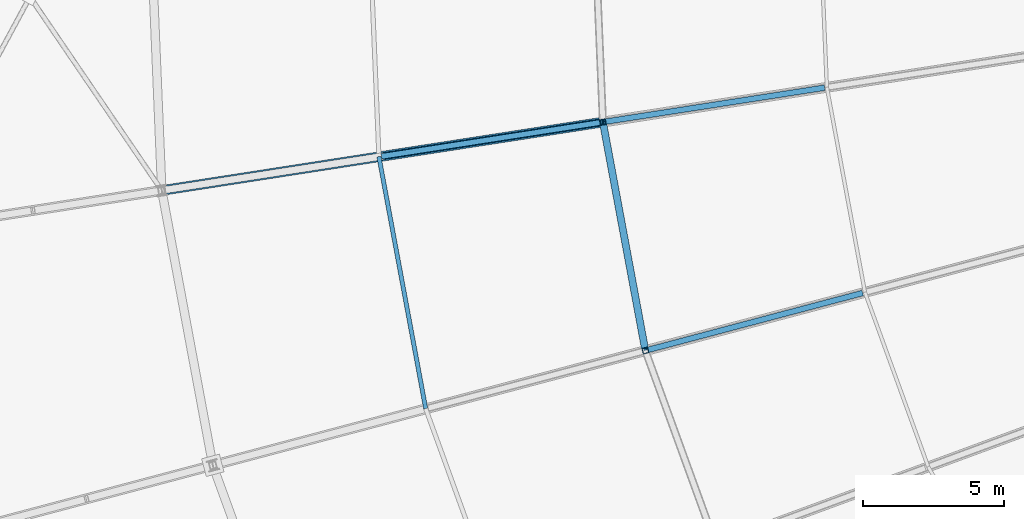
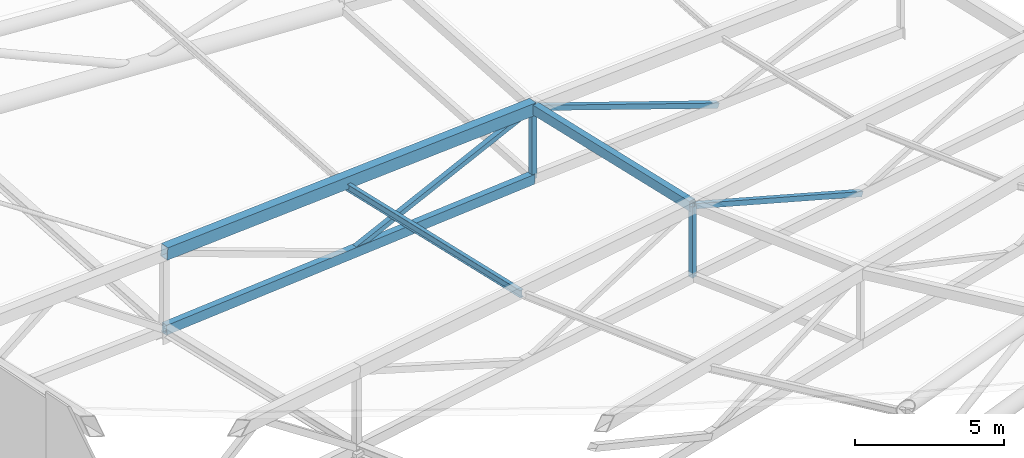
# One storey, part 25 of 143: 6 members, 3 beams.
"""IFC4 building model written with IfcOpenShell, lengths in metres."""

from ifc_helpers import new_model, si_unit, direction, frame, origin, origin_2d, place, context, subcontext, project, spatial, hollow_rectangle, i_section, extrude, material, material_profile, profile_set, type_object, element, save


model = new_model("IFC4")

# Units and contexts
model_context = context("Model", 3, precision=1e-05, world=origin(), true_north=direction((0.0, 1.0)))
body_context = subcontext(model_context, "Body", "Model", "MODEL_VIEW")
ifc_project = project(units=[si_unit("LENGTHUNIT", "METRE"), si_unit("AREAUNIT", "SQUARE_METRE"), si_unit("VOLUMEUNIT", "CUBIC_METRE"), si_unit("PLANEANGLEUNIT", "RADIAN"), si_unit("MASSUNIT", "GRAM", prefix="KILO")], contexts=[model_context])

# Site, building, storey
site_placement = place(None, origin())
site = spatial("IfcSite", under=ifc_project, at=site_placement, CompositionType="ELEMENT")
building_placement = place(site_placement, origin())
building = spatial("IfcBuilding", under=site, at=building_placement, Name="Mphavela Belvedere Stadium", CompositionType="ELEMENT")
storey_placement = place(building_placement, frame((0.0, 0.0, 28.800048828125)))
storey = spatial("IfcBuildingStorey", under=building, at=storey_placement, Name="RF", CompositionType="ELEMENT", Elevation=28.800048828125)

# Beams
ifc_material_1 = material(Name="Steel S355", Category="steel")
ifc_material_profile_1 = material_profile(ifc_material_1, hollow_rectangle(XDim=0.25, YDim=0.39990234375, WallThickness=0.01611328125, at=origin_2d()), Name="RHS 400x250x16")
ifc_profile_set_1 = profile_set([ifc_material_profile_1], Name="Steel S355")
beam_type_1 = type_object("IfcBeamType", Name="BM-RING-MID", PredefinedType="BEAM", material=ifc_profile_set_1)
beam_1_placement = place(storey_placement, frame((37.66064453125, 75.004150390625, 2.614013671875), z_axis=(0.182438230803, -0.982234667217, 0.043947132546), x_axis=(0.983184563063, 0.182614662488, 0.0)))
element("IfcBeam", 1, at=beam_1_placement, inside=storey, type_object=beam_type_1, Name="Intermediate roof ring beam RB-MID-26", PredefinedType="BEAM", context=body_context, shape_type="SweptSolid", body=[
    extrude(hollow_rectangle(XDim=0.25, YDim=0.39990234375, WallThickness=0.01611328125, at=origin_2d()), origin(), (0.0, 0.0, 1.0), 8.2607421875),
])
ifc_material_2 = material(Name="Steel S355", Category="steel")
ifc_material_profile_2 = material_profile(ifc_material_2, hollow_rectangle(XDim=0.25, YDim=0.39990234375, WallThickness=0.01611328125, at=origin_2d()), Name="RHS 400x250x16")
ifc_profile_set_2 = profile_set([ifc_material_profile_2], Name="Steel S355")
beam_type_2 = type_object("IfcBeamType", Name="BM-TRUSS-BC2", PredefinedType="BEAM", material=ifc_profile_set_2)
beam_2_placement = place(storey_placement, frame((22.0, 72.5751953125, 0.48046875), z_axis=(0.9870314816, 0.153087896524, -0.048300623901), x_axis=(-0.153266782809, 0.988184847732, 0.0)))
element("IfcBeam", 2, at=beam_2_placement, inside=storey, type_object=beam_type_2, Name="Radial roof truss RT-26 bottom chord 2", PredefinedType="BEAM", context=body_context, shape_type="SweptSolid", body=[
    extrude(hollow_rectangle(XDim=0.25, YDim=0.39990234375, WallThickness=0.01611328125, at=origin_2d()), origin(), (0.0, 0.0, 1.0), 15.866455078125),
])
ifc_material_3 = material(Name="Steel S355", Category="steel")
ifc_material_profile_3 = material_profile(ifc_material_3, hollow_rectangle(XDim=0.35009765625, YDim=0.5, WallThickness=0.02001953125, at=origin_2d()), Name="RHS 500x350x20")
ifc_profile_set_3 = profile_set([ifc_material_profile_3], Name="Steel S355")
beam_type_3 = type_object("IfcBeamType", Name="BM-TRUSS-TC2", PredefinedType="BEAM", material=ifc_profile_set_3)
beam_3_placement = place(storey_placement, frame((22.0, 72.5751953125, 3.63037109375), z_axis=(0.986158933324, 0.152952564893, -0.064000555599), x_axis=(-0.153266782809, 0.988184847732, 0.0)))
element("IfcBeam", 3, at=beam_3_placement, inside=storey, type_object=beam_type_3, Name="Radial roof truss RT-26 top chord 2", PredefinedType="BEAM", context=body_context, shape_type="SweptSolid", body=[
    extrude(hollow_rectangle(XDim=0.35009765625, YDim=0.5, WallThickness=0.02001953125, at=origin_2d()), origin(), (0.0, 0.0, 1.0), 15.88037109375),
])

# Members
ifc_material_4 = material(Name="Steel S355", Category="steel")
ifc_material_profile_4 = material_profile(ifc_material_4, hollow_rectangle(XDim=0.199951171875, YDim=0.199951171875, WallThickness=0.010009765625, at=origin_2d()), Name="SHS 200x200x10")
ifc_profile_set_4 = profile_set([ifc_material_profile_4], Name="Steel S355")
member_type_1 = type_object("IfcMemberType", Name="MEM-POST-SHS200", PredefinedType="POST", material=ifc_profile_set_4)
member_1_placement = place(storey_placement, frame((37.66064453125, 75.004150390625, -0.285888671875), z_axis=(0.0, 0.0, 1.0), x_axis=(-0.98817491911, -0.153330783737, 0.0)))
element("IfcMember", 4, at=member_1_placement, inside=storey, type_object=member_type_1, Name="Radial roof truss RT-26 post P3", PredefinedType="POST", context=body_context, shape_type="SweptSolid", body=[
    extrude(hollow_rectangle(XDim=0.199951171875, YDim=0.199951171875, WallThickness=0.010009765625, at=origin_2d()), origin(), (0.0, 0.0, 1.0), 2.89990234375),
])
member_2_placement = place(storey_placement, frame((29.830322265625, 73.78955078125, 0.09716796875), z_axis=(0.94181610483, 0.146089705407, 0.302721361416), x_axis=(-0.153281826121, 0.988182514408, 0.0)))
element("IfcMember", 5, at=member_2_placement, inside=storey, type_object=member_type_1, Name="Radial roof truss RT-26 web diagonal D4", PredefinedType="POST", context=body_context, shape_type="SweptSolid", body=[
    extrude(hollow_rectangle(XDim=0.199951171875, YDim=0.199951171875, WallThickness=0.010009765625, at=origin_2d()), origin(), (0.0, 0.0, 1.0), 8.31396484375),
])
member_3_placement = place(storey_placement, frame((37.66064453125, 75.004150390625, 2.614013671875), z_axis=(0.908822658651, 0.140943594429, -0.392652872538), x_axis=(-0.153251739391, 0.988187180839, 0.0)))
element("IfcMember", 6, at=member_3_placement, inside=storey, type_object=member_type_1, Name="Radial roof truss RT-26 web diagonal D5", PredefinedType="POST", context=body_context, shape_type="SweptSolid", body=[
    extrude(hollow_rectangle(XDim=0.199951171875, YDim=0.199951171875, WallThickness=0.010009765625, at=origin_2d()), origin(), (0.0, 0.0, 1.0), 8.615966796875),
])
member_4_placement = place(storey_placement, frame((39.167724609375, 66.89013671875, 0.0771484375), z_axis=(0.0, 0.0, 1.0), x_axis=(-0.966600102017, -0.256289373133, 0.0)))
element("IfcMember", 7, at=member_4_placement, inside=storey, type_object=member_type_1, Name="Radial roof truss RT-27 post P3", PredefinedType="POST", context=body_context, shape_type="SweptSolid", body=[
    extrude(hollow_rectangle(XDim=0.199951171875, YDim=0.199951171875, WallThickness=0.010009765625, at=origin_2d()), origin(), (0.0, 0.0, 1.0), 2.89990234375),
])
member_5_placement = place(storey_placement, frame((39.167724609375, 66.89013671875, 2.97705078125), z_axis=(0.887796291564, 0.235443305509, -0.395454415296), x_axis=(-0.256338590818, 0.966587050843, 0.0)))
element("IfcMember", 8, at=member_5_placement, inside=storey, type_object=member_type_1, Name="Radial roof truss RT-27 web diagonal D5", PredefinedType="POST", context=body_context, shape_type="SweptSolid", body=[
    extrude(hollow_rectangle(XDim=0.199951171875, YDim=0.199951171875, WallThickness=0.010009765625, at=origin_2d()), origin(), (0.0, 0.0, 1.0), 8.648193359375),
])
ifc_material_5 = material(Name="Steel S355", Category="steel")
ifc_material_profile_5 = material_profile(ifc_material_5, i_section(OverallWidth=0.14990234375, OverallDepth=0.300048828125, WebThickness=0.007080078125, FlangeThickness=0.0107421875, at=origin_2d()), Name="IPE 300")
ifc_profile_set_5 = profile_set([ifc_material_profile_5], Name="Steel S355")
member_type_2 = type_object("IfcMemberType", Name="MEM-PURLIN-IPE300", PredefinedType="PURLIN", material=ifc_profile_set_5)
member_6_placement = place(storey_placement, frame((29.7099609375, 73.77099609375, 2.93994140625), z_axis=(0.182446845795, -0.982232930682, 0.043950180244), x_axis=(0.983182956793, 0.18262331032, 0.0)))
element("IfcMember", 9, at=member_6_placement, inside=storey, type_object=member_type_2, Name="Saddle canopy steel purlin 26-2", PredefinedType="PURLIN", context=body_context, shape_type="SweptSolid", body=[
    extrude(i_section(OverallWidth=0.14990234375, OverallDepth=0.300048828125, WebThickness=0.007080078125, FlangeThickness=0.0107421875, at=origin_2d()), origin(), (0.0, 0.0, 1.0), 9.110107421875),
])

save(model, "model.ifc")
